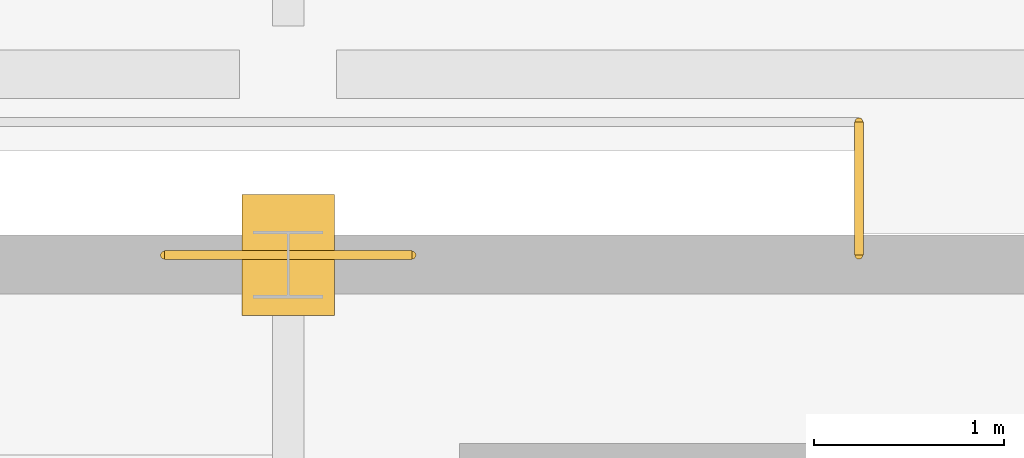
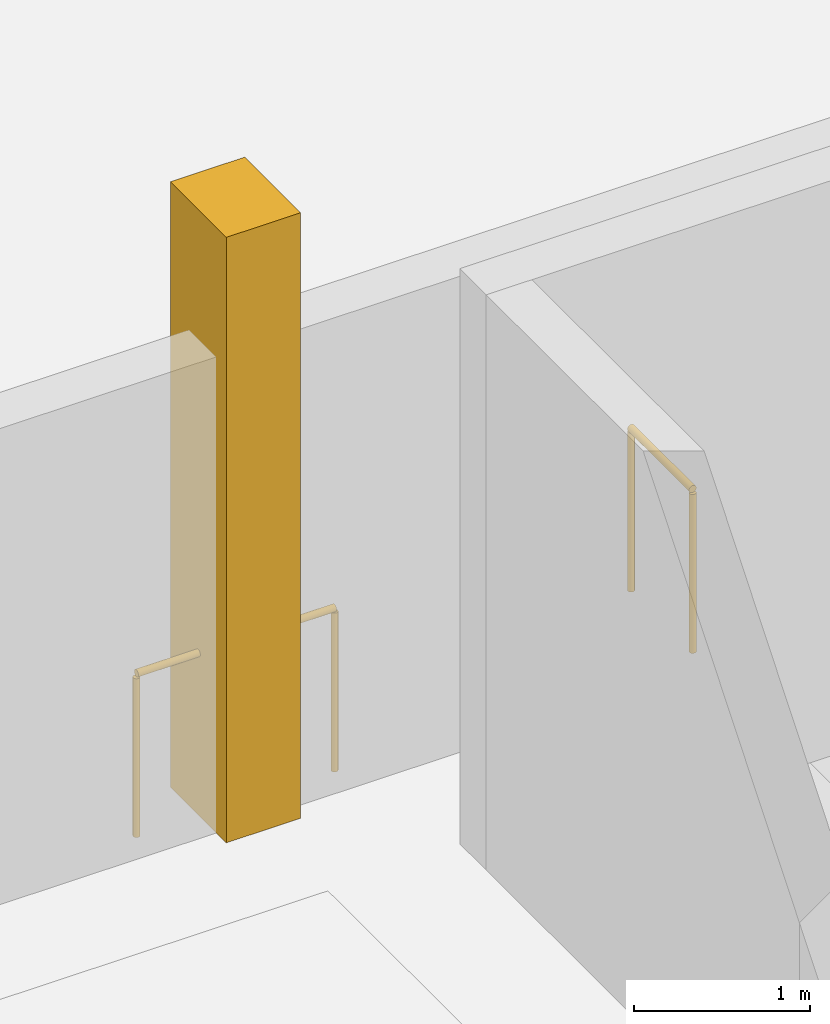
# One storey, part 109 of 120: 2 railings, 1 covering.
"""IFC4 building model written with IfcOpenShell, lengths in metres."""

import ifcopenshell
import ifcopenshell.guid

model = None  # the IFC model being written
_history = None  # IfcOwnerHistory: only IFC2X3 demands one
_inside = {}  # id of a spatial element -> (the spatial element, [elements in it])
_under = {}  # id of a project, library or spatial element -> (it, [spatial elements below it])
_declared = {}  # id of a project -> (the project, [libraries it declares])
_typed = {}  # id of a type object -> (the type object, [elements of that type])
_made_of = {}  # id of a material, layer set ... -> (it, [elements and type objects made of it])


def new_model(schema):
    """Start an empty IFC model of exactly this schema.

    Asked for "IFC4X3", IfcOpenShell would pick the latest addendum, in which some entities
    have other attributes; the version numbers below select the first issue.
    IFC2X3 requires an IfcOwnerHistory on every rooted entity: one is made here for all.
    """
    global model, _history
    if schema == "IFC4X3":
        model = ifcopenshell.file(schema_version=(4, 3, 0, 0))
    else:
        model = ifcopenshell.file(schema=schema)
    _inside.clear()
    _under.clear()
    _declared.clear()
    _typed.clear()
    _made_of.clear()
    _history = None
    if model.schema == "IFC2X3":
        org = make("IfcOrganization", Name="unknown")
        user = make(
            "IfcPersonAndOrganization",
            ThePerson=make("IfcPerson", FamilyName="unknown"),
            TheOrganization=org,
        )
        app = make(
            "IfcApplication",
            ApplicationDeveloper=org,
            Version="unknown",
            ApplicationFullName="unknown",
            ApplicationIdentifier="unknown",
        )
        _history = make(
            "IfcOwnerHistory",
            OwningUser=user,
            OwningApplication=app,
            ChangeAction="ADDED",
            CreationDate=0,
        )
    return model


def make(cls, **values):
    """One entity of the class cls with the attributes given. An attribute that is None is left unset."""
    return model.create_entity(
        cls, **{name: value for name, value in values.items() if value is not None}
    )


def rooted(cls, **values):
    """An entity with a GlobalId (a new one), such as an element, a storey or a relation."""
    return make(cls, GlobalId=ifcopenshell.guid.new(), OwnerHistory=_history, **values)


def si_unit(unit_type, name, prefix=None):
    """IfcSIUnit, for example si_unit("LENGTHUNIT", "METRE", prefix="MILLI")."""
    return make("IfcSIUnit", UnitType=unit_type, Prefix=prefix, Name=name)


def assignment(units):
    """IfcUnitAssignment: the units of a project."""
    return None if units is None else make("IfcUnitAssignment", Units=units)


def point(xyz):
    """IfcCartesianPoint."""
    return None if xyz is None else make("IfcCartesianPoint", Coordinates=xyz)


def direction(xyz):
    """IfcDirection."""
    return None if xyz is None else make("IfcDirection", DirectionRatios=xyz)


def frame(location, z_axis=None, x_axis=None):
    """IfcAxis2Placement3D, a coordinate frame: its origin and axes. An axis left out is left unset."""
    return make(
        "IfcAxis2Placement3D",
        Location=point(location),
        Axis=direction(z_axis),
        RefDirection=direction(x_axis),
    )


def frame_2d(location, x_axis=None):
    """IfcAxis2Placement2D, a coordinate frame in the plane: its origin and x axis."""
    return make(
        "IfcAxis2Placement2D", Location=point(location), RefDirection=direction(x_axis)
    )


def origin():
    """The frame at (0, 0, 0) with its axes left unset."""
    return frame((0.0, 0.0, 0.0))


def origin_2d():
    """The frame at (0, 0) in the plane with its x axis left unset."""
    return frame_2d((0.0, 0.0))


def place(relative_to, where):
    """IfcLocalPlacement: puts the frame where relative to a parent placement (None: the world)."""
    return make(
        "IfcLocalPlacement", PlacementRelTo=relative_to, RelativePlacement=where
    )


def context(
    kind, dimensions, precision=None, world=None, true_north=None, identifier=None
):
    """IfcGeometricRepresentationContext, for example the 3D "Model" context."""
    return make(
        "IfcGeometricRepresentationContext",
        ContextIdentifier=identifier,
        ContextType=kind,
        CoordinateSpaceDimension=dimensions,
        Precision=precision,
        WorldCoordinateSystem=world,
        TrueNorth=true_north,
    )


def subcontext(parent, identifier, kind, view, scale=None):
    """IfcGeometricRepresentationSubContext, for example "Body" below "Model"."""
    return make(
        "IfcGeometricRepresentationSubContext",
        ContextIdentifier=identifier,
        ContextType=kind,
        ParentContext=parent,
        TargetScale=scale,
        TargetView=view,
    )


def project(units=None, contexts=None):
    """IfcProject with its units and contexts."""
    return rooted(
        "IfcProject",
        Name="project",
        RepresentationContexts=contexts,
        UnitsInContext=assignment(units),
    )


def spatial(cls, under=None, at=None, **own):
    """A site, building, storey or space (cls), placed at a placement, below another one or the project."""
    s = rooted(cls, ObjectPlacement=at, **own)
    if under is not None:
        _under.setdefault(under.id(), (under, []))[1].append(s)
    return s


def profile(cls, at=None, kind="AREA", **sizes):
    """A parametric profile (cls). Its sizes go by their IFC names, for example OverallWidth=200.0."""
    return make(cls, ProfileType=kind, Position=at, **sizes)


def rectangle(**sizes):
    """IfcRectangleProfileDef."""
    return profile("IfcRectangleProfileDef", **sizes)


def circle(**sizes):
    """IfcCircleProfileDef."""
    return profile("IfcCircleProfileDef", **sizes)


def extrude(swept, where, along, depth):
    """IfcExtrudedAreaSolid: the profile swept, set in the frame where, extruded along a direction by depth."""
    return make(
        "IfcExtrudedAreaSolid",
        SweptArea=swept,
        Position=where,
        ExtrudedDirection=direction(along),
        Depth=depth,
    )


def shape(context_of_items, identifier, shape_type, items):
    """IfcShapeRepresentation: the items that make up one representation, for example the "Body"."""
    return make(
        "IfcShapeRepresentation",
        ContextOfItems=context_of_items,
        RepresentationIdentifier=identifier,
        RepresentationType=shape_type,
        Items=items,
    )


def material(Name=None, Category=None):
    """IfcMaterial."""
    return make("IfcMaterial", Name=Name, Category=Category)


def layer(
    of_material, thickness, ventilated=None, Name=None, Category=None, Priority=None
):
    """IfcMaterialLayer: one layer of a wall or slab, of a material (None: an air gap)."""
    return make(
        "IfcMaterialLayer",
        Material=of_material,
        LayerThickness=thickness,
        IsVentilated=ventilated,
        Name=Name,
        Category=Category,
        Priority=Priority,
    )


def layer_set(layers, Name=None):
    """IfcMaterialLayerSet."""
    return make("IfcMaterialLayerSet", MaterialLayers=layers, LayerSetName=Name)


def made_of(thing, what):
    """Note that an element or type object is made of a material, layer set ...; save() writes the relation."""
    if what is not None:
        _made_of.setdefault(what.id(), (what, []))[1].append(thing)
    return thing


def type_object(cls, material=None, **own):
    """A type object (cls), such as IfcWallType, which elements share."""
    return made_of(rooted(cls, **own), material)


def element(
    cls,
    number,
    at=None,
    inside=None,
    cuts=None,
    type_object=None,
    material=None,
    context=None,
    identifier="Body",
    shape_type=None,
    held_by="IfcProductDefinitionShape",
    body=None,
    shapes=None,
    **own,
):
    """One element of the class cls, such as IfcWall. Its Tag is "e" and its number.

    at: its placement. inside: the storey or other place that contains it. cuts: it is an
    opening in that element (IfcRelVoidsElement). A single representation is given by context,
    identifier, shape_type and body (its items); several are given by shapes. held_by: the class
    of the entity that holds the representations. save() writes the other relations.
    """
    e = rooted(cls, Tag="e%d" % number, ObjectPlacement=at, **own)
    if body is not None:
        shapes = [shape(context, identifier, shape_type, body)]
    if shapes is not None:
        e.Representation = make(held_by, Representations=shapes)
    if inside is not None:
        _inside.setdefault(inside.id(), (inside, []))[1].append(e)
    if cuts is not None:
        rooted(
            "IfcRelVoidsElement", RelatingBuildingElement=cuts, RelatedOpeningElement=e
        )
    if type_object is not None:
        _typed.setdefault(type_object.id(), (type_object, []))[1].append(e)
    return made_of(e, material)


def aggregate(whole, parts):
    """IfcRelAggregates: a whole, such as a stair, and the parts it consists of."""
    return rooted("IfcRelAggregates", RelatingObject=whole, RelatedObjects=parts)


def save(model, path):
    """Write the relations noted so far, then the file.

    IfcRelAggregates (storeys below a building ...), IfcRelContainedInSpatialStructure (elements
    in a storey), IfcRelDefinesByType, IfcRelAssociatesMaterial and IfcRelDeclares: one each for
    every whole, place, type object, material and project.
    """
    for whole, parts in _under.values():
        aggregate(whole, parts)
    for where, things in _inside.values():
        rooted(
            "IfcRelContainedInSpatialStructure",
            RelatedElements=things,
            RelatingStructure=where,
        )
    for kind, things in _typed.values():
        rooted("IfcRelDefinesByType", RelatedObjects=things, RelatingType=kind)
    for what, things in _made_of.values():
        rooted("IfcRelAssociatesMaterial", RelatedObjects=things, RelatingMaterial=what)
    for by, libraries in _declared.values():
        rooted("IfcRelDeclares", RelatingContext=by, RelatedDefinitions=libraries)
    model.write(path)


model = new_model("IFC4")

# Units and contexts
model_context = context("Model", 3, precision=1e-05, world=origin(), true_north=direction((0.0, 1.0)))
body_context = subcontext(model_context, "Body", "Model", "MODEL_VIEW")
ifc_project = project(units=[si_unit("LENGTHUNIT", "METRE"), si_unit("AREAUNIT", "SQUARE_METRE"), si_unit("VOLUMEUNIT", "CUBIC_METRE"), si_unit("PLANEANGLEUNIT", "RADIAN"), si_unit("MASSUNIT", "GRAM", prefix="KILO")], contexts=[model_context])

# Site, building, storey
site_placement = place(None, origin())
site = spatial("IfcSite", under=ifc_project, at=site_placement, CompositionType="ELEMENT")
building_placement = place(site_placement, origin())
building = spatial("IfcBuilding", under=site, at=building_placement, Name="Caurita Quay Ferry Terminal", CompositionType="ELEMENT")
storey_placement = place(building_placement, frame((0.0, 0.0, 9.89990234375)))
storey = spatial("IfcBuildingStorey", under=building, at=storey_placement, Name="L02", CompositionType="ELEMENT", Elevation=9.89990234375)

# Covering
ifc_material_1 = material(Name="Warm-white lime stucco masonry", Category="masonry")
ifc_layer = layer(ifc_material_1, 0.179931640625, Name="Classical engaged lime-stucco facade pilaster cladding 180 mm")
ifc_layer_set = layer_set([ifc_layer], Name="Warm-white lime stucco masonry")
covering_type = type_object("IfcCoveringType", Name="COV-PIL-CLD", PredefinedType="CLADDING", material=ifc_layer_set)
covering_placement = place(storey_placement, frame((121.199951171875, 70.64990234375, 0.0), z_axis=(0.0, 0.0, 1.0), x_axis=(1.0, 0.0, 0.0)))
element("IfcCovering", 1, at=covering_placement, inside=storey, type_object=covering_type, Name="L02 Classical Engaged Pilaster 0109", PredefinedType="CLADDING", context=body_context, shape_type="SweptSolid", body=[
    extrude(rectangle(XDim=0.488037109375, YDim=0.635986328125, at=origin_2d()), origin(), (0.0, 0.0, 1.0), 4.199951171875),
])

# Railings
ifc_material_2 = material(Name="Bronze architectural metalwork", Category="metal")
railing_type = type_object("IfcRailingType", Name="RL-REJA-115", PredefinedType="BALUSTRADE", material=ifc_material_2)
railing_1_placement = place(storey_placement, frame((124.199951171875, 70.64990234375, 0.0)))
element("IfcRailing", 2, at=railing_1_placement, inside=storey, type_object=railing_type, Name="Upper Garden Joint Bridge Guard West (038)", PredefinedType="BALUSTRADE", context=body_context, shape_type="SweptSolid", body=[
    extrude(circle(Radius=0.02392578125, at=origin_2d()), frame((0.0, 0.0, 1.1259765625), z_axis=(0.0, 1.0, 0.0), x_axis=(-1.0, 0.0, 0.0)), (0.0, 0.0, 1.0), 0.7001953125),
    extrude(circle(Radius=0.02099609375, at=origin_2d()), origin(), (0.0, 0.0, 1.0), 1.101806640625),
    extrude(circle(Radius=0.02099609375, at=origin_2d()), frame((0.0, 0.7001953125, 0.0)), (0.0, 0.0, 1.0), 1.101806640625),
])
railing_2_placement = place(storey_placement, frame((120.550048828125, 70.64990234375, 0.0)))
element("IfcRailing", 3, at=railing_2_placement, inside=storey, type_object=railing_type, Name="L02 V2-MEZ Grid13 Pier Guard (110)", PredefinedType="BALUSTRADE", context=body_context, shape_type="SweptSolid", body=[
    extrude(circle(Radius=0.02392578125, at=origin_2d()), frame((0.0, 0.0, 1.1259765625), z_axis=(1.0, 0.0, 0.0), x_axis=(0.0, 1.0, 0.0)), (0.0, 0.0, 1.0), 1.300048828125),
    extrude(circle(Radius=0.02099609375, at=origin_2d()), origin(), (0.0, 0.0, 1.0), 1.101806640625),
    extrude(circle(Radius=0.02099609375, at=origin_2d()), frame((0.64990234375, 0.0, 0.0)), (0.0, 0.0, 1.0), 1.101806640625),
    extrude(circle(Radius=0.02099609375, at=origin_2d()), frame((1.300048828125, 0.0, 0.0)), (0.0, 0.0, 1.0), 1.101806640625),
])

save(model, "model.ifc")
